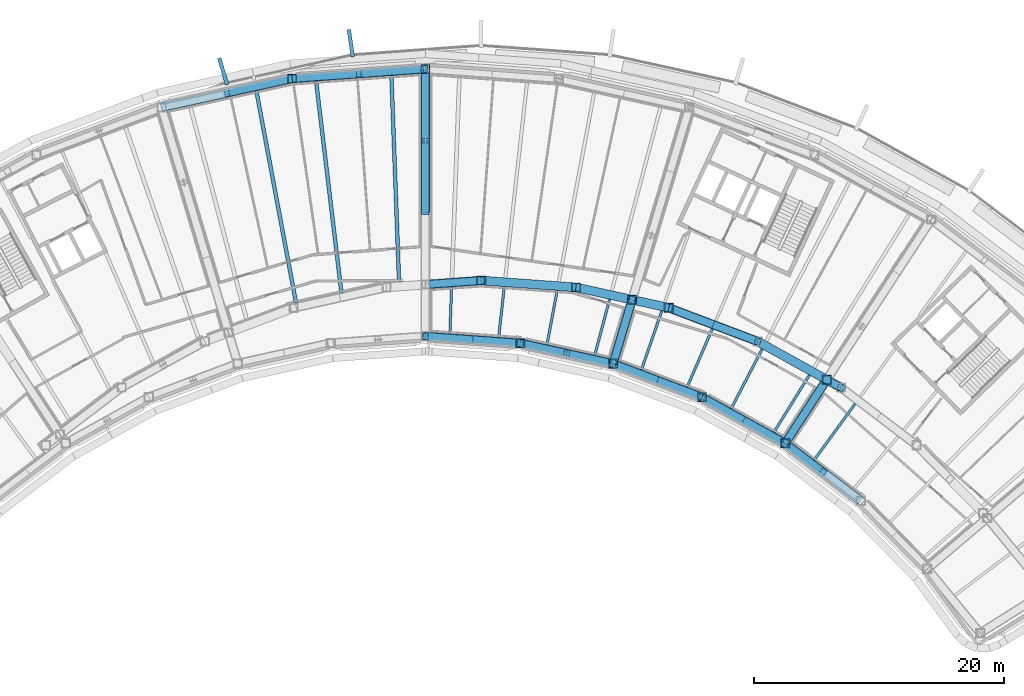
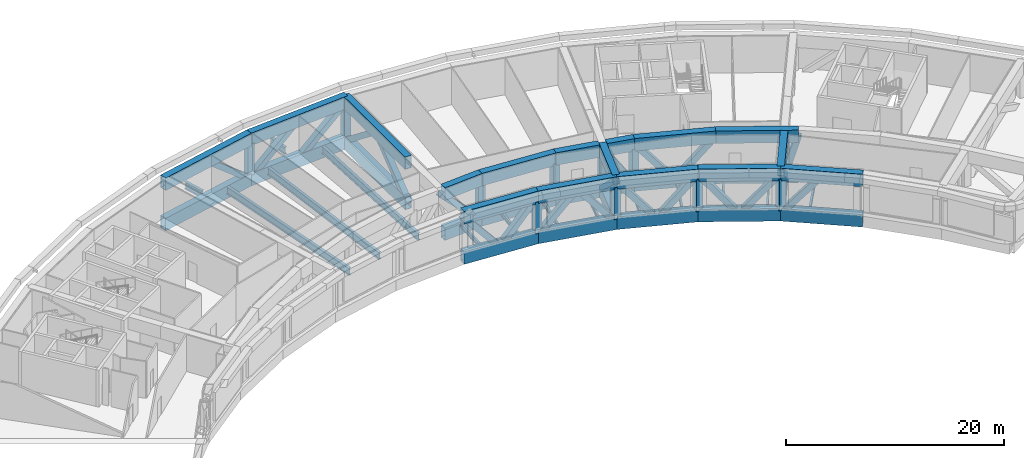
# One storey, part 3 of 25: 46 beams, 32 members.
"""IFC4 building model written with IfcOpenShell, lengths in metres."""

from ifc_helpers import new_model, si_unit, direction, frame, origin, origin_2d, place, context, subcontext, project, spatial, hollow_rectangle, i_section, extrude, material, material_profile, profile_set, type_object, element, save


model = new_model("IFC4")

# Units and contexts
model_context = context("Model", 3, precision=1e-05, world=origin(), true_north=direction((0.0, 1.0)))
body_context = subcontext(model_context, "Body", "Model", "MODEL_VIEW")
ifc_project = project(units=[si_unit("LENGTHUNIT", "METRE"), si_unit("AREAUNIT", "SQUARE_METRE"), si_unit("VOLUMEUNIT", "CUBIC_METRE"), si_unit("PLANEANGLEUNIT", "RADIAN"), si_unit("MASSUNIT", "GRAM", prefix="KILO")], contexts=[model_context])

# Site, building, storey
site_placement = place(None, origin())
site = spatial("IfcSite", under=ifc_project, at=site_placement, CompositionType="ELEMENT")
building_placement = place(site_placement, origin())
building = spatial("IfcBuilding", under=site, at=building_placement, Name="Tuul Gate Civic Tower", CompositionType="ELEMENT")
storey_placement = place(building_placement, frame((0.0, 0.0, 133.699951171875)))
storey = spatial("IfcBuildingStorey", under=building, at=storey_placement, Name="Plant and refuge floor 4", CompositionType="ELEMENT", Elevation=133.699951171875)

# Beams
ifc_material_1 = material(Name="Steel S355", Category="steel")
ifc_material_profile_1 = material_profile(ifc_material_1, i_section(OverallWidth=0.199951171875, OverallDepth=0.5, WebThickness=0.010009765625, FlangeThickness=0.01611328125, at=origin_2d()), Name="PG500x200x10x16")
ifc_profile_set_1 = profile_set([ifc_material_profile_1], Name="Steel S355")
beam_type_1 = type_object("IfcBeamType", Name="STR-FLOOR BEAM-PG500x200x10x16", PredefinedType="BEAM", material=ifc_profile_set_1)
beam_1_placement = place(storey_placement, frame((36.423583984375, -22.00048828125, -0.64990234375), z_axis=(0.588402120978, 0.808568453521, 0.0), x_axis=(-0.808568453521, 0.588402120978, 0.0)))
element("IfcBeam", 1, at=beam_1_placement, inside=storey, type_object=beam_type_1, Name="Floor beam", PredefinedType="BEAM", context=body_context, shape_type="SweptSolid", body=[
    extrude(i_section(OverallWidth=0.199951171875, OverallDepth=0.5, WebThickness=0.010009765625, FlangeThickness=0.01611328125, at=origin_2d()), origin(), (0.0, 0.0, 1.0), 5.54345703125),
])
beam_2_placement = place(storey_placement, frame((33.21044921875, -19.7783203125, -0.64990234375), z_axis=(0.526983085499, 0.849875771862, 0.0), x_axis=(-0.849875771862, 0.526983085499, 0.0)))
element("IfcBeam", 2, at=beam_2_placement, inside=storey, type_object=beam_type_1, Name="Floor beam", PredefinedType="BEAM", context=body_context, shape_type="SweptSolid", body=[
    extrude(i_section(OverallWidth=0.199951171875, OverallDepth=0.5, WebThickness=0.010009765625, FlangeThickness=0.01611328125, at=origin_2d()), origin(), (0.0, 0.0, 1.0), 5.361572265625),
])
beam_3_placement = place(storey_placement, frame((29.793212890625, -17.88427734375, -0.64990234375), z_axis=(0.462749779124, 0.886488940665, 0.0), x_axis=(-0.886488940665, 0.462749779124, 0.0)))
element("IfcBeam", 3, at=beam_3_placement, inside=storey, type_object=beam_type_1, Name="Floor beam", PredefinedType="BEAM", context=body_context, shape_type="SweptSolid", body=[
    extrude(i_section(OverallWidth=0.199951171875, OverallDepth=0.5, WebThickness=0.010009765625, FlangeThickness=0.01611328125, at=origin_2d()), origin(), (0.0, 0.0, 1.0), 5.357177734375),
])
beam_4_placement = place(storey_placement, frame((26.281982421875, -16.172119140625, -0.64990234375), z_axis=(0.395926393175, 0.918282250284, 0.0), x_axis=(-0.918282250284, 0.395926393175, 0.0)))
element("IfcBeam", 4, at=beam_4_placement, inside=storey, type_object=beam_type_1, Name="Floor beam", PredefinedType="BEAM", context=body_context, shape_type="SweptSolid", body=[
    extrude(i_section(OverallWidth=0.199951171875, OverallDepth=0.5, WebThickness=0.010009765625, FlangeThickness=0.01611328125, at=origin_2d()), origin(), (0.0, 0.0, 1.0), 5.0478515625),
])
beam_5_placement = place(storey_placement, frame((22.6279296875, -14.790283203125, -0.64990234375), z_axis=(0.32695049915, 0.945041465284, 0.0), x_axis=(-0.945041465284, 0.32695049915, 0.0)))
element("IfcBeam", 5, at=beam_5_placement, inside=storey, type_object=beam_type_1, Name="Floor beam", PredefinedType="BEAM", context=body_context, shape_type="SweptSolid", body=[
    extrude(i_section(OverallWidth=0.199951171875, OverallDepth=0.5, WebThickness=0.010009765625, FlangeThickness=0.01611328125, at=origin_2d()), origin(), (0.0, 0.0, 1.0), 4.976806640625),
])
beam_6_placement = place(storey_placement, frame((18.899169921875, -13.626708984375, -0.64990234375), z_axis=(0.25617035239, 0.966631651953, 0.0), x_axis=(-0.966631651953, 0.25617035239, 0.0)))
element("IfcBeam", 6, at=beam_6_placement, inside=storey, type_object=beam_type_1, Name="Floor beam", PredefinedType="BEAM", context=body_context, shape_type="SweptSolid", body=[
    extrude(i_section(OverallWidth=0.199951171875, OverallDepth=0.5, WebThickness=0.010009765625, FlangeThickness=0.01611328125, at=origin_2d()), origin(), (0.0, 0.0, 1.0), 4.61376953125),
])
beam_7_placement = place(storey_placement, frame((15.08447265625, -12.785888671875, -0.64990234375), z_axis=(0.183993803441, 0.98292740337, 0.0), x_axis=(-0.98292740337, 0.183993803441, 0.0)))
element("IfcBeam", 7, at=beam_7_placement, inside=storey, type_object=beam_type_1, Name="Floor beam", PredefinedType="BEAM", context=body_context, shape_type="SweptSolid", body=[
    extrude(i_section(OverallWidth=0.199951171875, OverallDepth=0.5, WebThickness=0.010009765625, FlangeThickness=0.01611328125, at=origin_2d()), origin(), (0.0, 0.0, 1.0), 4.4013671875),
])
beam_8_placement = place(storey_placement, frame((11.22314453125, -12.197265625, -0.64990234375), z_axis=(0.110767395854, 0.993846358355, 0.0), x_axis=(-0.993846358355, 0.110767395854, 0.0)))
element("IfcBeam", 8, at=beam_8_placement, inside=storey, type_object=beam_type_1, Name="Floor beam", PredefinedType="BEAM", context=body_context, shape_type="SweptSolid", body=[
    extrude(i_section(OverallWidth=0.199951171875, OverallDepth=0.5, WebThickness=0.010009765625, FlangeThickness=0.01611328125, at=origin_2d()), origin(), (0.0, 0.0, 1.0), 4.06884765625),
])
beam_9_placement = place(storey_placement, frame((7.326904296875, -11.914794921875, -0.64990234375), z_axis=(0.037021354547, 0.999314474681, 0.0), x_axis=(-0.999314474681, 0.037021354547, 0.0)))
element("IfcBeam", 9, at=beam_9_placement, inside=storey, type_object=beam_type_1, Name="Floor beam", PredefinedType="BEAM", context=body_context, shape_type="SweptSolid", body=[
    extrude(i_section(OverallWidth=0.199951171875, OverallDepth=0.5, WebThickness=0.010009765625, FlangeThickness=0.01611328125, at=origin_2d()), origin(), (0.0, 0.0, 1.0), 3.725830078125),
])
ifc_material_2 = material(Name="Steel S355", Category="steel")
ifc_material_profile_2 = material_profile(ifc_material_2, i_section(OverallWidth=0.300048828125, OverallDepth=0.800048828125, WebThickness=0.013916015625, FlangeThickness=0.02490234375, at=origin_2d()), Name="PG800x300x14x25")
ifc_profile_set_2 = profile_set([ifc_material_profile_2], Name="Steel S355")
beam_type_2 = type_object("IfcBeamType", Name="STR-FLOOR BEAM-PG800x300x14x25", PredefinedType="BEAM", material=ifc_profile_set_2)
beam_10_placement = place(storey_placement, frame((3.268310546875, -7.793701171875, -0.800048828125), z_axis=(-0.036985374786, 0.999315806966, 0.0), x_axis=(-0.999315806966, -0.036985374786, 0.0)))
element("IfcBeam", 10, at=beam_10_placement, inside=storey, type_object=beam_type_2, Name="Floor beam", PredefinedType="BEAM", context=body_context, shape_type="SweptSolid", body=[
    extrude(i_section(OverallWidth=0.300048828125, OverallDepth=0.800048828125, WebThickness=0.013916015625, FlangeThickness=0.02490234375, at=origin_2d()), origin(), (0.0, 0.0, 1.0), 16.4892578125),
])
beam_11_placement = place(storey_placement, frame((-1.33349609375, -8.65087890625, -0.800048828125), z_axis=(-0.118888415816, 0.992907621375, 0.0), x_axis=(-0.992907621375, -0.118888415816, 0.0)))
element("IfcBeam", 11, at=beam_11_placement, inside=storey, type_object=beam_type_2, Name="Floor beam", PredefinedType="BEAM", context=body_context, shape_type="SweptSolid", body=[
    extrude(i_section(OverallWidth=0.300048828125, OverallDepth=0.800048828125, WebThickness=0.013916015625, FlangeThickness=0.02490234375, at=origin_2d()), origin(), (0.0, 0.0, 1.0), 17.01953125),
])
beam_12_placement = place(storey_placement, frame((-4.960693359375, -9.450439453125, -0.800048828125), z_axis=(-0.183971748891, 0.982931531496, 0.0), x_axis=(-0.982931531496, -0.183971748891, 0.0)))
element("IfcBeam", 12, at=beam_12_placement, inside=storey, type_object=beam_type_2, Name="Floor beam", PredefinedType="BEAM", context=body_context, shape_type="SweptSolid", body=[
    extrude(i_section(OverallWidth=0.300048828125, OverallDepth=0.800048828125, WebThickness=0.013916015625, FlangeThickness=0.02490234375, at=origin_2d()), origin(), (0.0, 0.0, 1.0), 17.21728515625),
])
beam_13_placement = place(storey_placement, frame((-0.74169921875, 12.370849609375, -0.800048828125), z_axis=(0.144038332677, -0.989572108904, 0.0), x_axis=(0.989572108904, 0.144038332677, 0.0)))
element("IfcBeam", 13, at=beam_13_placement, inside=storey, type_object=beam_type_2, Name="Terrace beam", PredefinedType="BEAM", context=body_context, shape_type="SweptSolid", body=[
    extrude(i_section(OverallWidth=0.300048828125, OverallDepth=0.800048828125, WebThickness=0.013916015625, FlangeThickness=0.02490234375, at=origin_2d()), origin(), (0.0, 0.0, 1.0), 2.206787109375),
])
beam_14_placement = place(storey_placement, frame((-11.091064453125, 10.08984375, -0.800048828125), z_axis=(0.285418190911, -0.95840307611, 0.0), x_axis=(0.95840307611, 0.285418190911, 0.0)))
element("IfcBeam", 14, at=beam_14_placement, inside=storey, type_object=beam_type_2, Name="Terrace beam", PredefinedType="BEAM", context=body_context, shape_type="SweptSolid", body=[
    extrude(i_section(OverallWidth=0.300048828125, OverallDepth=0.800048828125, WebThickness=0.013916015625, FlangeThickness=0.02490234375, at=origin_2d()), origin(), (0.0, 0.0, 1.0), 2.2060546875),
])
ifc_material_3 = material(Name="Steel S460", Category="steel")
ifc_material_profile_3 = material_profile(ifc_material_3, hollow_rectangle(XDim=0.699951171875, YDim=1.39990234375, WallThickness=0.0400390625, at=origin_2d()), Name="BOX1400x700x40")
ifc_profile_set_3 = profile_set([ifc_material_profile_3], Name="Steel S460")
beam_type_3 = type_object("IfcBeamType", Name="STR-TRANSFER TRUSS CHORD-BOX1400x700x40", PredefinedType="BEAM", material=ifc_profile_set_3)
for number, where, z_axis, x_axis, name in (
    (15, (21.878173828125, -9.204833984375, -1.099853515625), (-0.285184376577, -0.958472676375, 0.0), (0.958472676375, -0.285184376577, 0.0), "Radial truss bottom chord"),
    (16, (21.878173828125, -9.204833984375, 3.400146484375), (-0.285184376577, -0.958472676375, 0.0), (0.958472676375, -0.285184376577, 0.0), "Radial truss top chord"),
):
    element("IfcBeam", number, at=place(storey_placement, frame(where, z_axis=z_axis, x_axis=x_axis)), inside=storey, type_object=beam_type_3, Name=name, PredefinedType="BEAM", context=body_context, shape_type="SweptSolid", body=[
        extrude(hollow_rectangle(XDim=0.699951171875, YDim=1.39990234375, WallThickness=0.0400390625, at=origin_2d()), origin(), (0.0, 0.0, 1.0), 5.322998046875),
    ])
for number, where, z_axis, x_axis, name in (
    (17, (5.3740234375, 9.23193359375, -1.099853515625), (0.0, -1.0, 0.0), (1.0, 0.0, 0.0), "Radial truss bottom chord"),
    (18, (5.3740234375, 9.23193359375, 3.400146484375), (0.0, -1.0, 0.0), (1.0, 0.0, 0.0), "Radial truss top chord"),
):
    element("IfcBeam", number, at=place(storey_placement, frame(where, z_axis=z_axis, x_axis=x_axis)), inside=storey, type_object=beam_type_3, Name=name, PredefinedType="BEAM", context=body_context, shape_type="SweptSolid", body=[
        extrude(hollow_rectangle(XDim=0.699951171875, YDim=1.39990234375, WallThickness=0.0400390625, at=origin_2d()), origin(), (0.0, 0.0, 1.0), 11.482666015625),
    ])
for number, where, z_axis, x_axis, name in (
    (19, (37.22802734375, -15.882568359375, -1.099853515625), (-0.546676538418, -0.837343873414, 0.0), (0.837343873414, -0.546676538418, 0.0), "Radial truss bottom chord"),
    (20, (37.22802734375, -15.882568359375, 3.400146484375), (-0.546676538418, -0.837343873414, 0.0), (0.837343873414, -0.546676538418, 0.0), "Radial truss top chord"),
):
    element("IfcBeam", number, at=place(storey_placement, frame(where, z_axis=z_axis, x_axis=x_axis)), inside=storey, type_object=beam_type_3, Name=name, PredefinedType="BEAM", context=body_context, shape_type="SweptSolid", body=[
        extrude(hollow_rectangle(XDim=0.699951171875, YDim=1.39990234375, WallThickness=0.0400390625, at=origin_2d()), origin(), (0.0, 0.0, 1.0), 5.719970703125),
    ])
for number, where, z_axis, x_axis, name in (
    (21, (-5.27490234375, 8.4599609375, -1.099853515625), (-0.9765717726, -0.21519194446, 0.0), (0.21519194446, -0.9765717726, 0.0), "Belt truss bottom chord"),
    (22, (-5.27490234375, 8.4599609375, 3.400146484375), (-0.9765717726, -0.21519194446, 0.0), (0.21519194446, -0.9765717726, 0.0), "Belt truss top chord"),
):
    element("IfcBeam", number, at=place(storey_placement, frame(where, z_axis=z_axis, x_axis=x_axis)), inside=storey, type_object=beam_type_3, Name=name, PredefinedType="BEAM", context=body_context, shape_type="SweptSolid", body=[
        extrude(hollow_rectangle(XDim=0.699951171875, YDim=1.39990234375, WallThickness=0.0400390625, at=origin_2d()), origin(), (0.0, 0.0, 1.0), 10.67822265625),
    ])
for number, where, z_axis, x_axis, name in (
    (23, (5.3740234375, 9.23193359375, -1.099853515625), (-0.997382693351, -0.072303271044, 0.0), (0.072303271044, -0.997382693351, 0.0), "Belt truss bottom chord"),
    (24, (5.3740234375, 9.23193359375, 3.400146484375), (-0.997382693351, -0.072303271044, 0.0), (0.072303271044, -0.997382693351, 0.0), "Belt truss top chord"),
):
    element("IfcBeam", number, at=place(storey_placement, frame(where, z_axis=z_axis, x_axis=x_axis)), inside=storey, type_object=beam_type_3, Name=name, PredefinedType="BEAM", context=body_context, shape_type="SweptSolid", body=[
        extrude(hollow_rectangle(XDim=0.699951171875, YDim=1.39990234375, WallThickness=0.0400390625, at=origin_2d()), origin(), (0.0, 0.0, 1.0), 10.6767578125),
    ])
for number, where, z_axis, x_axis, name in (
    (25, (31.9150390625, -12.537109375, -1.099853515625), (0.874599842838, -0.484845454663, 0.0), (0.484845454663, 0.874599842838, 0.0), "Belt truss bottom chord"),
    (26, (31.9150390625, -12.537109375, 3.400146484375), (0.874599842838, -0.484845454663, 0.0), (0.484845454663, 0.874599842838, 0.0), "Belt truss top chord"),
):
    element("IfcBeam", number, at=place(storey_placement, frame(where, z_axis=z_axis, x_axis=x_axis)), inside=storey, type_object=beam_type_3, Name=name, PredefinedType="BEAM", context=body_context, shape_type="SweptSolid", body=[
        extrude(hollow_rectangle(XDim=0.699951171875, YDim=1.39990234375, WallThickness=0.0400390625, at=origin_2d()), origin(), (0.0, 0.0, 1.0), 7.592041015625),
    ])
beam_15_placement = place(storey_placement, frame((17.40087890625, -8.218017578125, -1.099853515625), z_axis=(0.976570840912, -0.215196172549, 0.0), x_axis=(0.215196172549, 0.976570840912, 0.0)))
element("IfcBeam", 27, at=beam_15_placement, inside=storey, type_object=beam_type_3, Name="Belt truss bottom chord", PredefinedType="BEAM", context=body_context, shape_type="SweptSolid", body=[
    extrude(hollow_rectangle(XDim=0.699951171875, YDim=1.39990234375, WallThickness=0.0400390625, at=origin_2d()), origin(), (0.0, 0.0, 1.0), 4.23388671875),
])
beam_16_placement = place(storey_placement, frame((22.220947265625, -9.2802734375, -1.099853515625), z_axis=(0.976557595544, -0.215256271884, 0.0), x_axis=(0.215256271884, 0.976557595544, 0.0)))
element("IfcBeam", 28, at=beam_16_placement, inside=storey, type_object=beam_type_3, Name="Belt truss bottom chord", PredefinedType="BEAM", context=body_context, shape_type="SweptSolid", body=[
    extrude(hollow_rectangle(XDim=0.699951171875, YDim=1.39990234375, WallThickness=0.0400390625, at=origin_2d()), origin(), (0.0, 0.0, 1.0), 2.65625),
])
beam_17_placement = place(storey_placement, frame((17.40087890625, -8.218017578125, 3.400146484375), z_axis=(0.976570840912, -0.215196172549, 0.0), x_axis=(0.215196172549, 0.976570840912, 0.0)))
element("IfcBeam", 29, at=beam_17_placement, inside=storey, type_object=beam_type_3, Name="Belt truss top chord", PredefinedType="BEAM", context=body_context, shape_type="SweptSolid", body=[
    extrude(hollow_rectangle(XDim=0.699951171875, YDim=1.39990234375, WallThickness=0.0400390625, at=origin_2d()), origin(), (0.0, 0.0, 1.0), 4.23388671875),
])
beam_18_placement = place(storey_placement, frame((22.220947265625, -9.2802734375, 3.400146484375), z_axis=(0.976557595544, -0.215256271884, 0.0), x_axis=(0.215256271884, 0.976557595544, 0.0)))
element("IfcBeam", 30, at=beam_18_placement, inside=storey, type_object=beam_type_3, Name="Belt truss top chord", PredefinedType="BEAM", context=body_context, shape_type="SweptSolid", body=[
    extrude(hollow_rectangle(XDim=0.699951171875, YDim=1.39990234375, WallThickness=0.0400390625, at=origin_2d()), origin(), (0.0, 0.0, 1.0), 2.65625),
])
for number, where, z_axis, x_axis, name in (
    (31, (12.946044921875, -12.673095703125, -1.099853515625), (0.97656990875, -0.215200402705, 0.0), (0.215200402705, 0.97656990875, 0.0), "Belt truss bottom chord"),
    (32, (12.946044921875, -12.673095703125, 3.400146484375), (0.97656990875, -0.215200402705, 0.0), (0.215200402705, 0.97656990875, 0.0), "Belt truss top chord"),
):
    element("IfcBeam", number, at=place(storey_placement, frame(where, z_axis=z_axis, x_axis=x_axis)), inside=storey, type_object=beam_type_3, Name=name, PredefinedType="BEAM", context=body_context, shape_type="SweptSolid", body=[
        extrude(hollow_rectangle(XDim=0.699951171875, YDim=1.39990234375, WallThickness=0.0400390625, at=origin_2d()), origin(), (0.0, 0.0, 1.0), 7.592041015625),
    ])
for number, where, z_axis, x_axis, name in (
    (33, (5.72412109375, -7.966552734375, -1.099853515625), (0.997382254559, 0.072309323677, 0.0), (-0.072309323677, 0.997382254559, 0.0), "Belt truss bottom chord"),
    (34, (5.72412109375, -7.966552734375, 3.400146484375), (0.997382254559, 0.072309323677, 0.0), (-0.072309323677, 0.997382254559, 0.0), "Belt truss top chord"),
):
    element("IfcBeam", number, at=place(storey_placement, frame(where, z_axis=z_axis, x_axis=x_axis)), inside=storey, type_object=beam_type_3, Name=name, PredefinedType="BEAM", context=body_context, shape_type="SweptSolid", body=[
        extrude(hollow_rectangle(XDim=0.699951171875, YDim=1.39990234375, WallThickness=0.0400390625, at=origin_2d()), origin(), (0.0, 0.0, 1.0), 4.11572265625),
    ])
for number, where, z_axis, x_axis, name in (
    (35, (5.3740234375, -12.1240234375, -1.099853515625), (0.997381233603, -0.072323404623, 0.0), (0.072323404623, 0.997381233603, 0.0), "Belt truss bottom chord"),
    (36, (5.3740234375, -12.1240234375, 3.400146484375), (0.997381233603, -0.072323404623, 0.0), (0.072323404623, 0.997381233603, 0.0), "Belt truss top chord"),
):
    element("IfcBeam", number, at=place(storey_placement, frame(where, z_axis=z_axis, x_axis=x_axis)), inside=storey, type_object=beam_type_3, Name=name, PredefinedType="BEAM", context=body_context, shape_type="SweptSolid", body=[
        extrude(hollow_rectangle(XDim=0.699951171875, YDim=1.39990234375, WallThickness=0.0400390625, at=origin_2d()), origin(), (0.0, 0.0, 1.0), 7.591796875),
    ])
for number, where, z_axis, x_axis, name in (
    (37, (9.8291015625, -7.6689453125, -1.099853515625), (0.997381065387, -0.072325724384, 0.0), (0.072325724384, 0.997381065387, 0.0), "Belt truss bottom chord"),
    (38, (9.8291015625, -7.6689453125, 3.400146484375), (0.997381065387, -0.072325724384, 0.0), (0.072325724384, 0.997381065387, 0.0), "Belt truss top chord"),
    (39, (20.360107421875, -14.306884765625, -1.099853515625), (0.935362186019, -0.353691363996, 0.0), (0.353691363996, 0.935362186019, 0.0), "Belt truss bottom chord"),
    (40, (20.360107421875, -14.306884765625, 3.400146484375), (0.935362186019, -0.353691363996, 0.0), (0.353691363996, 0.935362186019, 0.0), "Belt truss top chord"),
    (41, (34.10107421875, -20.672119140625, -1.099853515625), (0.795625835802, -0.605788353638, 0.0), (0.605788353638, 0.795625835802, 0.0), "Belt truss bottom chord"),
    (42, (34.10107421875, -20.672119140625, 3.400146484375), (0.795625835802, -0.605788353638, 0.0), (0.605788353638, 0.795625835802, 0.0), "Belt truss top chord"),
):
    element("IfcBeam", number, at=place(storey_placement, frame(where, z_axis=z_axis, x_axis=x_axis)), inside=storey, type_object=beam_type_3, Name=name, PredefinedType="BEAM", context=body_context, shape_type="SweptSolid", body=[
        extrude(hollow_rectangle(XDim=0.699951171875, YDim=1.39990234375, WallThickness=0.0400390625, at=origin_2d()), origin(), (0.0, 0.0, 1.0), 7.591552734375),
    ])
for number, where, z_axis, x_axis, name in (
    (43, (27.4609375, -16.991943359375, -1.099853515625), (0.874648308236, -0.484758018912, 0.0), (0.484758018912, 0.874648308236, 0.0), "Belt truss bottom chord"),
    (44, (27.4609375, -16.991943359375, 3.400146484375), (0.874648308236, -0.484758018912, 0.0), (0.484758018912, 0.874648308236, 0.0), "Belt truss top chord"),
):
    element("IfcBeam", number, at=place(storey_placement, frame(where, z_axis=z_axis, x_axis=x_axis)), inside=storey, type_object=beam_type_3, Name=name, PredefinedType="BEAM", context=body_context, shape_type="SweptSolid", body=[
        extrude(hollow_rectangle(XDim=0.699951171875, YDim=1.39990234375, WallThickness=0.0400390625, at=origin_2d()), origin(), (0.0, 0.0, 1.0), 7.591796875),
    ])
for number, where, z_axis, x_axis, name in (
    (45, (24.81494140625, -9.85205078125, -1.099853515625), (0.935350115118, -0.353723284714, 0.0), (0.353723284714, 0.935350115118, 0.0), "Belt truss bottom chord"),
    (46, (24.81494140625, -9.85205078125, 3.400146484375), (0.935350115118, -0.353723284714, 0.0), (0.353723284714, 0.935350115118, 0.0), "Belt truss top chord"),
):
    element("IfcBeam", number, at=place(storey_placement, frame(where, z_axis=z_axis, x_axis=x_axis)), inside=storey, type_object=beam_type_3, Name=name, PredefinedType="BEAM", context=body_context, shape_type="SweptSolid", body=[
        extrude(hollow_rectangle(XDim=0.699951171875, YDim=1.39990234375, WallThickness=0.0400390625, at=origin_2d()), origin(), (0.0, 0.0, 1.0), 7.5908203125),
    ])

# Members
ifc_material_4 = material(Name="Steel S355", Category="steel")
ifc_material_profile_4 = material_profile(ifc_material_4, hollow_rectangle(XDim=0.60009765625, YDim=0.60009765625, WallThickness=0.02490234375, at=origin_2d()), Name="BOX600x600x25")
ifc_profile_set_4 = profile_set([ifc_material_profile_4], Name="Steel S355")
member_type_1 = type_object("IfcMemberType", Name="STR-TRANSFER TRUSS DIAGONAL-BOX600x600x25", PredefinedType="BRACE", material=ifc_profile_set_4)
member_1_placement = place(storey_placement, frame((21.87939453125, -9.201171875, -1.103271484375), z_axis=(-0.217822982803, -0.731952373814, 0.645599620997), x_axis=(0.958459233136, -0.285229553898, 0.0)))
element("IfcMember", 47, at=member_1_placement, inside=storey, type_object=member_type_1, Name="Radial truss web", PredefinedType="BRACE", context=body_context, shape_type="SweptSolid", body=[
    extrude(hollow_rectangle(XDim=0.60009765625, YDim=0.60009765625, WallThickness=0.02490234375, at=origin_2d()), origin(), (0.0, 0.0, 1.0), 6.98046875),
])
member_2_placement = place(storey_placement, frame((5.3740234375, 9.23583984375, -1.10302734375), z_axis=(0.0, -0.787048459159, 0.616891175926), x_axis=(1.0, 0.0, 0.0)))
element("IfcMember", 48, at=member_2_placement, inside=storey, type_object=member_type_1, Name="Radial truss web", PredefinedType="BRACE", context=body_context, shape_type="SweptSolid", body=[
    extrude(hollow_rectangle(XDim=0.60009765625, YDim=0.60009765625, WallThickness=0.02490234375, at=origin_2d()), origin(), (0.0, 0.0, 1.0), 7.304443359375),
])
member_3_placement = place(storey_placement, frame((5.3740234375, -2.254638671875, -1.10302734375), z_axis=(0.0, 0.787061177997, 0.616874948503), x_axis=(-1.0, 0.0, 0.0)))
element("IfcMember", 49, at=member_3_placement, inside=storey, type_object=member_type_1, Name="Radial truss web", PredefinedType="BRACE", context=body_context, shape_type="SweptSolid", body=[
    extrude(hollow_rectangle(XDim=0.60009765625, YDim=0.60009765625, WallThickness=0.02490234375, at=origin_2d()), origin(), (0.0, 0.0, 1.0), 7.3046875),
])
member_4_placement = place(storey_placement, frame((37.422119140625, -15.58544921875, -1.10302734375), z_axis=(-0.439191272866, -0.672660862233, 0.595515230921), x_axis=(0.837326037103, -0.546703857303, 0.0)))
element("IfcMember", 50, at=member_4_placement, inside=storey, type_object=member_type_1, Name="Radial truss web", PredefinedType="BRACE", context=body_context, shape_type="SweptSolid", body=[
    extrude(hollow_rectangle(XDim=0.60009765625, YDim=0.60009765625, WallThickness=0.02490234375, at=origin_2d()), origin(), (0.0, 0.0, 1.0), 7.566650390625),
])
member_5_placement = place(storey_placement, frame((-5.271240234375, 8.4609375, -1.103271484375), z_axis=(-0.746702432497, -0.164583871828, 0.6444746903), x_axis=(0.215247648816, -0.976559496231, 0.0)))
element("IfcMember", 51, at=member_5_placement, inside=storey, type_object=member_type_1, Name="Belt truss web", PredefinedType="BRACE", context=body_context, shape_type="SweptSolid", body=[
    extrude(hollow_rectangle(XDim=0.60009765625, YDim=0.60009765625, WallThickness=0.02490234375, at=origin_2d()), origin(), (0.0, 0.0, 1.0), 6.99267578125),
])
for number, where, z_axis, x_axis, name in (
    (52, (0.045654296875, 8.845703125, -1.103271484375), (0.76259533487, 0.055271664077, 0.644510200373), (-0.072288744582, 0.997383746312, 0.0), "Belt truss web"),
    (53, (-5.27880859375, 8.459716796875, -1.103271484375), (0.762580723839, 0.055273135798, 0.644527361783), (-0.072292037208, 0.997383507662, 0.0), "Belt truss web"),
):
    element("IfcMember", number, at=place(storey_placement, frame(where, z_axis=z_axis, x_axis=x_axis)), inside=storey, type_object=member_type_1, Name=name, PredefinedType="BRACE", context=body_context, shape_type="SweptSolid", body=[
        extrude(hollow_rectangle(XDim=0.60009765625, YDim=0.60009765625, WallThickness=0.02490234375, at=origin_2d()), origin(), (0.0, 0.0, 1.0), 6.9921875),
    ])
member_6_placement = place(storey_placement, frame((37.418701171875, -15.588134765625, -1.104736328125), z_axis=(0.242355329847, -0.134364416612, 0.960838226573), x_axis=(0.48487770247, 0.874581965082, 0.0)))
element("IfcMember", 54, at=member_6_placement, inside=storey, type_object=member_type_1, Name="Belt truss web", PredefinedType="BRACE", context=body_context, shape_type="SweptSolid", body=[
    extrude(hollow_rectangle(XDim=0.60009765625, YDim=0.60009765625, WallThickness=0.02490234375, at=origin_2d()), origin(), (0.0, 0.0, 1.0), 4.693359375),
])
member_7_placement = place(storey_placement, frame((24.817626953125, -9.8525390625, -1.10400390625), z_axis=(-0.542598930125, 0.119586985181, 0.831435718503), x_axis=(-0.215231236393, -0.976563113619, 0.0)))
element("IfcMember", 55, at=member_7_placement, inside=storey, type_object=member_type_1, Name="Belt truss web", PredefinedType="BRACE", context=body_context, shape_type="SweptSolid", body=[
    extrude(hollow_rectangle(XDim=0.60009765625, YDim=0.60009765625, WallThickness=0.02490234375, at=origin_2d()), origin(), (0.0, 0.0, 1.0), 5.42236328125),
])
member_8_placement = place(storey_placement, frame((12.94287109375, -12.67236328125, -1.103759765625), z_axis=(0.629684186818, -0.138770637358, 0.764356288048), x_axis=(0.215216968894, 0.976566258018, 0.0)))
element("IfcMember", 56, at=member_8_placement, inside=storey, type_object=member_type_1, Name="Belt truss web", PredefinedType="BRACE", context=body_context, shape_type="SweptSolid", body=[
    extrude(hollow_rectangle(XDim=0.60009765625, YDim=0.60009765625, WallThickness=0.02490234375, at=origin_2d()), origin(), (0.0, 0.0, 1.0), 5.897216796875),
])
member_9_placement = place(storey_placement, frame((20.363037109375, -14.3076171875, -1.103759765625), z_axis=(-0.62965920142, 0.138774254925, 0.764376213809), x_axis=(-0.215230464031, -0.976563283844, 0.0)))
element("IfcMember", 57, at=member_9_placement, inside=storey, type_object=member_type_1, Name="Belt truss web", PredefinedType="BRACE", context=body_context, shape_type="SweptSolid", body=[
    extrude(hollow_rectangle(XDim=0.60009765625, YDim=0.60009765625, WallThickness=0.02490234375, at=origin_2d()), origin(), (0.0, 0.0, 1.0), 5.89697265625),
])
member_10_placement = place(storey_placement, frame((9.83251953125, -7.668701171875, -1.103515625), z_axis=(-0.70262363078, -0.05093982878, 0.709735984232), x_axis=(0.072309665923, -0.997382229746, 0.0)))
element("IfcMember", 58, at=member_10_placement, inside=storey, type_object=member_type_1, Name="Belt truss web", PredefinedType="BRACE", context=body_context, shape_type="SweptSolid", body=[
    extrude(hollow_rectangle(XDim=0.60009765625, YDim=0.60009765625, WallThickness=0.02490234375, at=origin_2d()), origin(), (0.0, 0.0, 1.0), 6.350341796875),
])
for number, where, z_axis, x_axis, name in (
    (59, (9.163330078125, -12.398681640625, -1.103759765625), (-0.643101420115, 0.046615952044, 0.764360854872), (-0.072296476587, -0.997383185878, 0.0), "Belt truss web"),
    (60, (9.15673828125, -12.398193359375, -1.103759765625), (0.643100178458, -0.046657261563, 0.764359379095), (0.072360347011, 0.997378554101, 0.0), "Belt truss web"),
    (61, (23.91357421875, -15.650634765625, -1.103759765625), (-0.603113717001, 0.228030639294, 0.764366320496), (-0.353655277079, -0.93537583088, 0.0), "Belt truss web"),
    (62, (23.907470703125, -15.6484375, -1.103759765625), (0.603113717001, -0.228030639294, 0.764366320496), (0.353655277079, 0.93537583088, 0.0), "Belt truss web"),
):
    element("IfcMember", number, at=place(storey_placement, frame(where, z_axis=z_axis, x_axis=x_axis)), inside=storey, type_object=member_type_1, Name=name, PredefinedType="BRACE", context=body_context, shape_type="SweptSolid", body=[
        extrude(hollow_rectangle(XDim=0.60009765625, YDim=0.60009765625, WallThickness=0.02490234375, at=origin_2d()), origin(), (0.0, 0.0, 1.0), 5.897216796875),
    ])
for number, where, z_axis, x_axis, name in (
    (63, (34.098388671875, -20.670166015625, -1.103759765625), (0.51299820696, -0.390575827977, 0.764384302728), (0.605768462047, 0.795640980838, 0.0), "Belt truss web"),
    (64, (30.783935546875, -18.83349609375, -1.103759765625), (-0.563958307517, 0.312532760494, 0.764378375545), (-0.48472130847, -0.874668653328, 0.0), "Belt truss web"),
):
    element("IfcMember", number, at=place(storey_placement, frame(where, z_axis=z_axis, x_axis=x_axis)), inside=storey, type_object=member_type_1, Name=name, PredefinedType="BRACE", context=body_context, shape_type="SweptSolid", body=[
        extrude(hollow_rectangle(XDim=0.60009765625, YDim=0.60009765625, WallThickness=0.02490234375, at=origin_2d()), origin(), (0.0, 0.0, 1.0), 5.89697265625),
    ])
member_11_placement = place(storey_placement, frame((30.778076171875, -18.830322265625, -1.103759765625), z_axis=(0.563951010102, -0.312570116449, 0.764368484769), x_axis=(0.484770429734, 0.874641429647, 0.0)))
element("IfcMember", 65, at=member_11_placement, inside=storey, type_object=member_type_1, Name="Belt truss web", PredefinedType="BRACE", context=body_context, shape_type="SweptSolid", body=[
    extrude(hollow_rectangle(XDim=0.60009765625, YDim=0.60009765625, WallThickness=0.02490234375, at=origin_2d()), origin(), (0.0, 0.0, 1.0), 5.897216796875),
])
for number, where, z_axis, x_axis, name in (
    (66, (28.367919921875, -11.195556640625, -1.103759765625), (-0.603034685588, 0.228047720441, 0.764423577069), (-0.353719007445, -0.93535173265, 0.0), "Belt truss web"),
    (67, (28.362060546875, -11.193359375, -1.103759765625), (0.603034685588, -0.228047720441, 0.764423577069), (0.353719007445, 0.93535173265, 0.0), "Belt truss web"),
):
    element("IfcMember", number, at=place(storey_placement, frame(where, z_axis=z_axis, x_axis=x_axis)), inside=storey, type_object=member_type_1, Name=name, PredefinedType="BRACE", context=body_context, shape_type="SweptSolid", body=[
        extrude(hollow_rectangle(XDim=0.60009765625, YDim=0.60009765625, WallThickness=0.02490234375, at=origin_2d()), origin(), (0.0, 0.0, 1.0), 5.896728515625),
    ])
ifc_material_5 = material(Name="Steel S355", Category="steel")
ifc_material_profile_5 = material_profile(ifc_material_5, hollow_rectangle(XDim=0.699951171875, YDim=0.699951171875, WallThickness=0.030029296875, at=origin_2d()), Name="BOX700x700x30")
ifc_profile_set_5 = profile_set([ifc_material_profile_5], Name="Steel S355")
member_type_2 = type_object("IfcMemberType", Name="STR-TRUSS POST-BOX700x700x30", PredefinedType="POST", material=ifc_profile_set_5)
for number, where, z_axis, x_axis, name in (
    (68, (21.878173828125, -9.204833984375, -0.619873046875), (0.0, 0.0, 1.0), (1.0, 0.0, 0.0), "Radial truss post"),
    (69, (20.360107421875, -14.306884765625, -0.619873046875), (0.0, 0.0, 1.0), (1.0, 0.0, 0.0), "Radial truss post"),
    (70, (5.3740234375, 9.23193359375, -0.619873046875), (0.0, 0.0, 1.0), (1.0, 0.0, 0.0), "Radial truss post"),
    (71, (37.419921875, -15.5888671875, -0.619873046875), (0.0, 0.0, 1.0), (1.0, 0.0, 0.0), "Radial truss post"),
    (72, (34.10107421875, -20.672119140625, -0.619873046875), (0.0, 0.0, 1.0), (1.0, 0.0, 0.0), "Radial truss post"),
    (73, (-5.27490234375, 8.4599609375, -0.619873046875), (0.0, 0.0, 1.0), (1.0, 0.0, 0.0), "Belt truss post"),
    (74, (17.40087890625, -8.218017578125, -0.619873046875), (0.0, 0.0, 1.0), (1.0, 0.0, 0.0), "Belt truss post"),
    (75, (24.81494140625, -9.85205078125, -0.619873046875), (0.0, 0.0, 1.0), (1.0, 0.0, 0.0), "Belt truss post"),
    (76, (12.946044921875, -12.673095703125, -0.619873046875), (0.0, 0.0, 1.0), (1.0, 0.0, 0.0), "Belt truss post"),
    (77, (9.8291015625, -7.6689453125, -0.619873046875), (0.0, 0.0, 1.0), (1.0, 0.0, 0.0), "Belt truss post"),
    (78, (27.4609375, -16.991943359375, -0.619873046875), (0.0, 0.0, 1.0), (1.0, 0.0, 0.0), "Belt truss post"),
):
    element("IfcMember", number, at=place(storey_placement, frame(where, z_axis=z_axis, x_axis=x_axis)), inside=storey, type_object=member_type_2, Name=name, PredefinedType="POST", context=body_context, shape_type="SweptSolid", body=[
        extrude(hollow_rectangle(XDim=0.699951171875, YDim=0.699951171875, WallThickness=0.030029296875, at=origin_2d()), origin(), (0.0, 0.0, 1.0), 3.5400390625),
    ])

save(model, "model.ifc")
